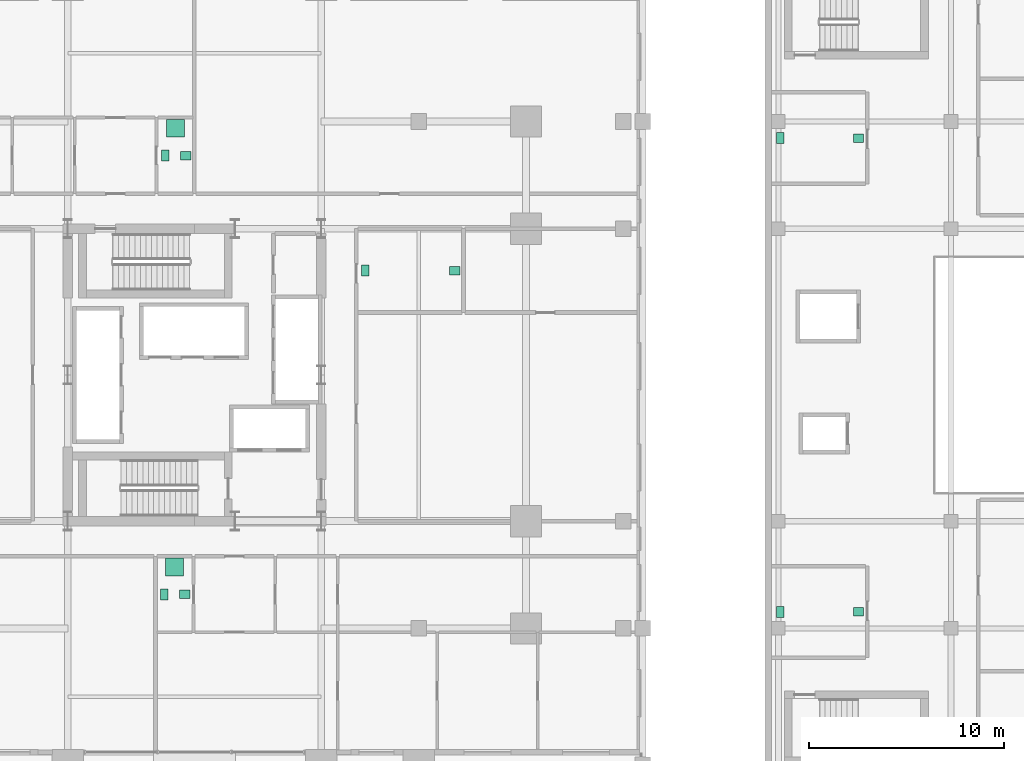
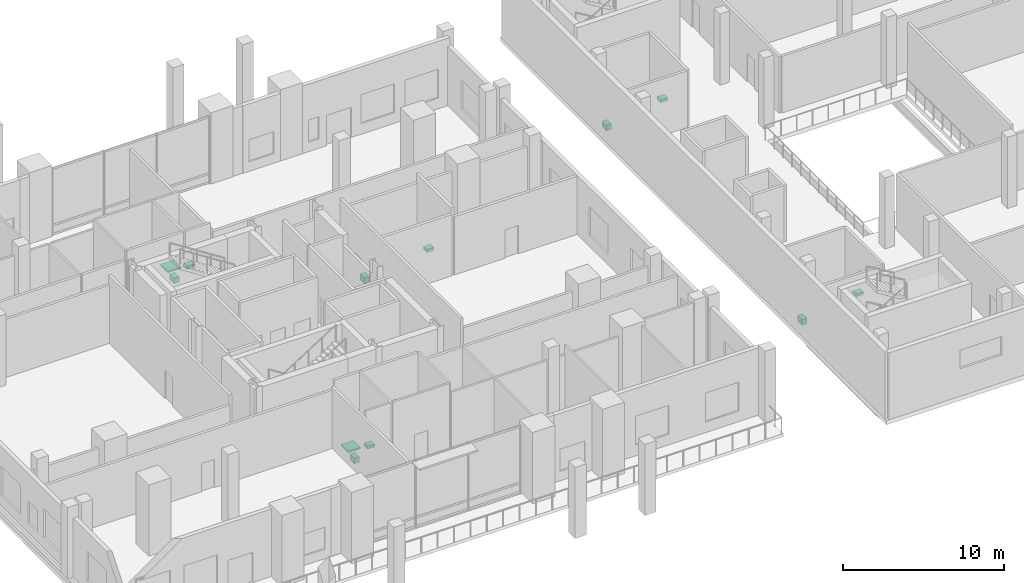
# One storey, part 22 of 22: 12 sanitary terminals.
"""IFC4 building model written with IfcOpenShell, lengths in metres."""

from ifc_helpers import new_model, si_unit, direction, frame, origin, origin_2d, place, context, subcontext, project, spatial, rectangle, extrude, material, type_object, element, save


model = new_model("IFC4")

# Units and contexts
model_context = context("Model", 3, precision=1e-05, world=origin(), true_north=direction((0.0, 1.0)))
body_context = subcontext(model_context, "Body", "Model", "MODEL_VIEW")
ifc_project = project(units=[si_unit("LENGTHUNIT", "METRE"), si_unit("AREAUNIT", "SQUARE_METRE"), si_unit("VOLUMEUNIT", "CUBIC_METRE"), si_unit("PLANEANGLEUNIT", "RADIAN"), si_unit("MASSUNIT", "GRAM", prefix="KILO")], contexts=[model_context])

# Site, building, storey
site_placement = place(None, origin())
site = spatial("IfcSite", under=ifc_project, at=site_placement, CompositionType="ELEMENT")
building_placement = place(site_placement, origin())
building = spatial("IfcBuilding", under=site, at=building_placement, Name="Barlavira Tower and Art Museum", CompositionType="ELEMENT")
storey_placement = place(building_placement, frame((0.0, 0.0, 16.800048828125)))
storey = spatial("IfcBuildingStorey", under=building, at=storey_placement, Name="L03", CompositionType="ELEMENT", Elevation=16.800048828125)

# Sanitary terminals
ifc_material = material(Name="Vitreous glazed ceramic", Category="ceramic")
sanitary_terminal_type_1 = type_object("IfcSanitaryTerminalType", Name="Countertop Ceramic Wash Hand Basin", PredefinedType="WASHHANDBASIN", material=ifc_material)
for number, where, z_axis, x_axis, name in (
    (1, (-0.5, -11.25, 0.73974609375), (0.0, 0.0, 1.0), (1.0, 0.0, 0.0), "L03-P3-SE-BTH1 Wash Basin"),
    (2, (-0.449951171875, 11.25, 0.73974609375), (0.0, 0.0, 1.0), (1.0, 0.0, 0.0), "L03-P3-NW-BTH1 Wash Basin"),
    (3, (13.35009765625, 5.35009765625, 0.73974609375), (0.0, 0.0, 1.0), (1.0, 0.0, 0.0), "L03-POD-AWC Wash Basin"),
    (4, (34.050048828125, 12.14990234375, 0.73974609375), (0.0, 0.0, 1.0), (1.0, 0.0, 0.0), "L03-MUS-WC Wash Basin"),
    (5, (34.050048828125, -12.14990234375, 0.73974609375), (0.0, 0.0, 1.0), (1.0, 0.0, 0.0), "L03-MUS-AWC Wash Basin"),
):
    element("IfcSanitaryTerminal", number, at=place(storey_placement, frame(where, z_axis=z_axis, x_axis=x_axis)), inside=storey, type_object=sanitary_terminal_type_1, Name=name, PredefinedType="WASHHANDBASIN", context=body_context, shape_type="SweptSolid", body=[
        extrude(rectangle(XDim=0.52001953125, YDim=0.43994140625, at=origin_2d()), origin(), (0.0, 0.0, 1.0), 0.219970703125),
    ])
sanitary_terminal_type_2 = type_object("IfcSanitaryTerminalType", Name="Walk-In Thermostatic Rain Shower Unit", PredefinedType="SHOWER", material=ifc_material)
for number, where, z_axis, x_axis, name in (
    (6, (-1.02490234375, -9.85009765625, 0.0), (0.0, 0.0, 1.0), (1.0, 0.0, 0.0), "L03-P3-SE-BTH1 Rain Shower"),
    (7, (-0.97509765625, 12.64990234375, 0.0), (0.0, 0.0, 1.0), (1.0, 0.0, 0.0), "L03-P3-NW-BTH1 Rain Shower"),
):
    element("IfcSanitaryTerminal", number, at=place(storey_placement, frame(where, z_axis=z_axis, x_axis=x_axis)), inside=storey, type_object=sanitary_terminal_type_2, Name=name, PredefinedType="SHOWER", context=body_context, shape_type="SweptSolid", body=[
        extrude(rectangle(XDim=0.89990234375, YDim=0.89990234375, at=origin_2d()), origin(), (0.0, 0.0, 1.0), 0.1201171875),
    ])
sanitary_terminal_type_3 = type_object("IfcSanitaryTerminalType", Name="Wall-Hung Dual-Flush Vitreous WC Pan", PredefinedType="TOILETPAN", material=ifc_material)
for number, where, z_axis, x_axis, name in (
    (8, (-1.550048828125, -11.25, 0.0), (0.0, 0.0, 1.0), (1.0, 0.0, 0.0), "L03-P3-SE-BTH1 WC Pan"),
    (9, (-1.5, 11.25, 0.0), (0.0, 0.0, 1.0), (1.0, 0.0, 0.0), "L03-P3-NW-BTH1 WC Pan"),
    (10, (8.75, 5.35009765625, 0.0), (0.0, 0.0, 1.0), (1.0, 0.0, 0.0), "L03-POD-AWC WC Pan"),
    (11, (30.050048828125, 12.14990234375, 0.0), (0.0, 0.0, 1.0), (1.0, 0.0, 0.0), "L03-MUS-WC WC Pan"),
    (12, (30.050048828125, -12.14990234375, 0.0), (0.0, 0.0, 1.0), (1.0, 0.0, 0.0), "L03-MUS-AWC WC Pan"),
):
    element("IfcSanitaryTerminal", number, at=place(storey_placement, frame(where, z_axis=z_axis, x_axis=x_axis)), inside=storey, type_object=sanitary_terminal_type_3, Name=name, PredefinedType="TOILETPAN", context=body_context, shape_type="SweptSolid", body=[
        extrude(rectangle(XDim=0.3798828125, YDim=0.56005859375, at=origin_2d()), origin(), (0.0, 0.0, 1.0), 0.419921875),
    ])

save(model, "model.ifc")
